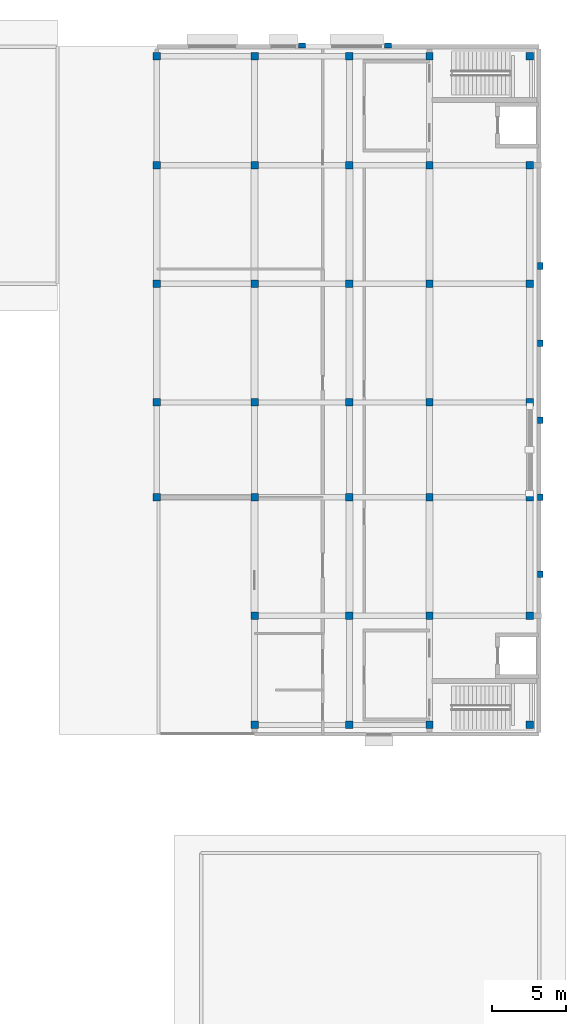
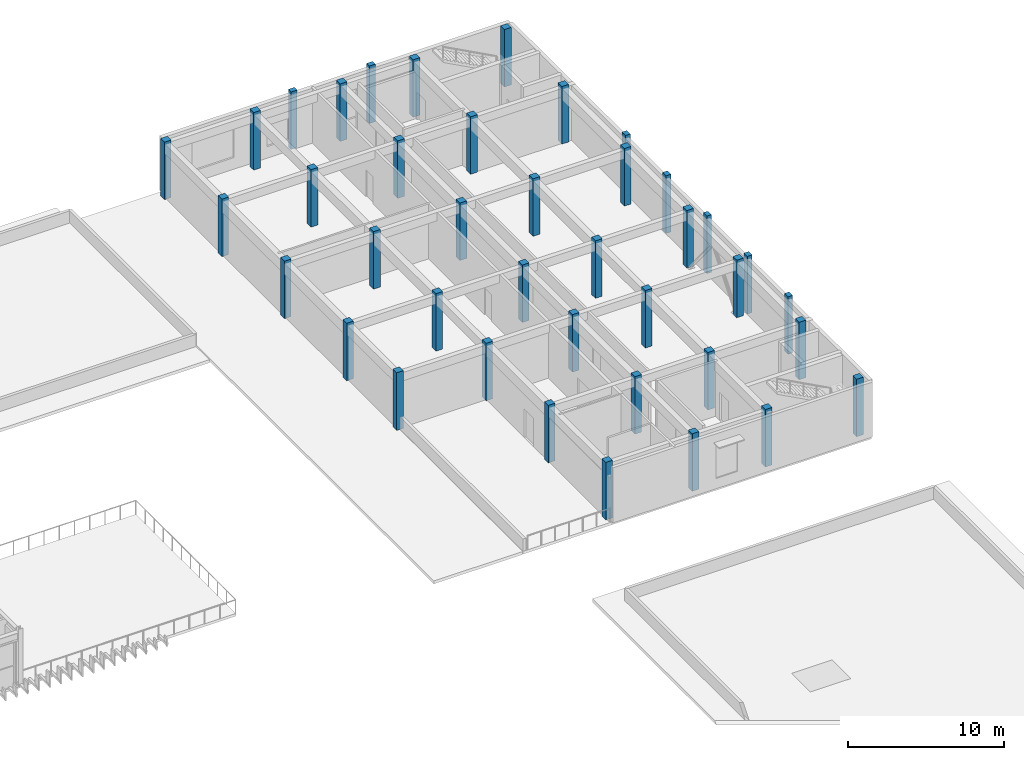
# One storey, part 3 of 45: 40 columns.
"""IFC4 building model written with IfcOpenShell, lengths in metres."""

from ifc_helpers import new_model, si_unit, direction, frame, origin, origin_2d, place, context, subcontext, project, spatial, rectangle, extrude, material, material_profile, profile_set, type_object, element, save


model = new_model("IFC4")

# Units and contexts
model_context = context("Model", 3, precision=1e-05, world=origin(), true_north=direction((0.0, 1.0)))
body_context = subcontext(model_context, "Body", "Model", "MODEL_VIEW")
ifc_project = project(units=[si_unit("LENGTHUNIT", "METRE"), si_unit("AREAUNIT", "SQUARE_METRE"), si_unit("VOLUMEUNIT", "CUBIC_METRE"), si_unit("PLANEANGLEUNIT", "RADIAN"), si_unit("MASSUNIT", "GRAM", prefix="KILO")], contexts=[model_context])

# Site, building, storey
site_placement = place(None, origin())
site = spatial("IfcSite", under=ifc_project, at=site_placement, CompositionType="ELEMENT")
building_placement = place(site_placement, origin())
building = spatial("IfcBuilding", under=site, at=building_placement, Name="Cinchona Park Media Centre", CompositionType="ELEMENT")
storey_placement = place(building_placement, frame((0.0, 0.0, 20.39990234375)))
storey = spatial("IfcBuildingStorey", under=building, at=storey_placement, Name="L04", CompositionType="ELEMENT", Elevation=20.39990234375)

# Columns
ifc_material_1 = material(Name="Concrete C40/50", Category="concrete")
ifc_material_profile_1 = material_profile(ifc_material_1, rectangle(XDim=0.5, YDim=0.5, at=origin_2d()), Name="RC 500X500")
ifc_profile_set_1 = profile_set([ifc_material_profile_1], Name="Concrete C40/50")
column_type_1 = type_object("IfcColumnType", Name="COL-C04-RC500X500", PredefinedType="COLUMN", material=ifc_profile_set_1)
for number, where, z_axis, x_axis, name in (
    (1, (146.199951171875, 87.60009765625, 0.0), (0.0, 0.0, 1.0), (1.0, 0.0, 0.0), "Column C04 L04"),
    (2, (146.199951171875, 94.0, 0.0), (0.0, 0.0, 1.0), (1.0, 0.0, 0.0), "Column C04 L04"),
    (3, (146.199951171875, 102.0, 0.0), (0.0, 0.0, 1.0), (1.0, 0.0, 0.0), "Column C04 L04"),
    (4, (146.199951171875, 110.0, 0.0), (0.0, 0.0, 1.0), (1.0, 0.0, 0.0), "Column C04 L04"),
    (5, (146.199951171875, 117.360107421875, 0.0), (0.0, 0.0, 1.0), (1.0, 0.0, 0.0), "Column C04 L04"),
    (6, (152.800048828125, 72.239990234375, 0.0), (0.0, 0.0, 1.0), (1.0, 0.0, 0.0), "Column C04 L04"),
    (7, (152.800048828125, 79.60009765625, 0.0), (0.0, 0.0, 1.0), (1.0, 0.0, 0.0), "Column C04 L04"),
    (8, (152.800048828125, 87.60009765625, 0.0), (0.0, 0.0, 1.0), (1.0, 0.0, 0.0), "Column C04 L04"),
    (9, (152.800048828125, 94.0, 0.0), (0.0, 0.0, 1.0), (1.0, 0.0, 0.0), "Column C04 L04"),
    (10, (152.800048828125, 102.0, 0.0), (0.0, 0.0, 1.0), (1.0, 0.0, 0.0), "Column C04 L04"),
    (11, (152.800048828125, 110.0, 0.0), (0.0, 0.0, 1.0), (1.0, 0.0, 0.0), "Column C04 L04"),
    (12, (152.800048828125, 117.360107421875, 0.0), (0.0, 0.0, 1.0), (1.0, 0.0, 0.0), "Column C04 L04"),
    (13, (159.199951171875, 72.239990234375, 0.0), (0.0, 0.0, 1.0), (1.0, 0.0, 0.0), "Column C04 L04"),
    (14, (159.199951171875, 79.60009765625, 0.0), (0.0, 0.0, 1.0), (1.0, 0.0, 0.0), "Column C04 L04"),
    (15, (159.199951171875, 87.60009765625, 0.0), (0.0, 0.0, 1.0), (1.0, 0.0, 0.0), "Column C04 L04"),
    (16, (159.199951171875, 94.0, 0.0), (0.0, 0.0, 1.0), (1.0, 0.0, 0.0), "Column C04 L04"),
    (17, (159.199951171875, 102.0, 0.0), (0.0, 0.0, 1.0), (1.0, 0.0, 0.0), "Column C04 L04"),
    (18, (159.199951171875, 110.0, 0.0), (0.0, 0.0, 1.0), (1.0, 0.0, 0.0), "Column C04 L04"),
    (19, (159.199951171875, 117.360107421875, 0.0), (0.0, 0.0, 1.0), (1.0, 0.0, 0.0), "Column C04 L04"),
    (20, (164.60009765625, 72.239990234375, 0.0), (0.0, 0.0, 1.0), (1.0, 0.0, 0.0), "Column C04 L04"),
    (21, (164.60009765625, 79.60009765625, 0.0), (0.0, 0.0, 1.0), (1.0, 0.0, 0.0), "Column C04 L04"),
    (22, (164.60009765625, 87.60009765625, 0.0), (0.0, 0.0, 1.0), (1.0, 0.0, 0.0), "Column C04 L04"),
    (23, (164.60009765625, 94.0, 0.0), (0.0, 0.0, 1.0), (1.0, 0.0, 0.0), "Column C04 L04"),
    (24, (164.60009765625, 102.0, 0.0), (0.0, 0.0, 1.0), (1.0, 0.0, 0.0), "Column C04 L04"),
    (25, (164.60009765625, 110.0, 0.0), (0.0, 0.0, 1.0), (1.0, 0.0, 0.0), "Column C04 L04"),
    (26, (164.60009765625, 117.360107421875, 0.0), (0.0, 0.0, 1.0), (1.0, 0.0, 0.0), "Column C04 L04"),
    (27, (171.360107421875, 72.239990234375, 0.0), (0.0, 0.0, 1.0), (1.0, 0.0, 0.0), "Column C04 L04"),
    (28, (171.360107421875, 79.60009765625, 0.0), (0.0, 0.0, 1.0), (1.0, 0.0, 0.0), "Column C04 L04"),
    (29, (171.360107421875, 87.60009765625, 0.0), (0.0, 0.0, 1.0), (1.0, 0.0, 0.0), "Column C04 L04"),
    (30, (171.360107421875, 94.0, 0.0), (0.0, 0.0, 1.0), (1.0, 0.0, 0.0), "Column C04 L04"),
    (31, (171.360107421875, 102.0, 0.0), (0.0, 0.0, 1.0), (1.0, 0.0, 0.0), "Column C04 L04"),
    (32, (171.360107421875, 110.0, 0.0), (0.0, 0.0, 1.0), (1.0, 0.0, 0.0), "Column C04 L04"),
    (33, (171.360107421875, 117.360107421875, 0.0), (0.0, 0.0, 1.0), (1.0, 0.0, 0.0), "Column C04 L04"),
):
    element("IfcColumn", number, at=place(storey_placement, frame(where, z_axis=z_axis, x_axis=x_axis)), inside=storey, type_object=column_type_1, Name=name, PredefinedType="COLUMN", context=body_context, shape_type="SweptSolid", body=[
        extrude(rectangle(XDim=0.5, YDim=0.5, at=origin_2d()), origin(), (0.0, 0.0, 1.0), 4.5),
    ])
ifc_material_2 = material(Name="Concrete C40/50", Category="concrete")
ifc_material_profile_2 = material_profile(ifc_material_2, rectangle(XDim=0.35009765625, YDim=0.449951171875, at=origin_2d()), Name="RC 350X450")
ifc_profile_set_2 = profile_set([ifc_material_profile_2], Name="Concrete C40/50")
column_type_2 = type_object("IfcColumnType", Name="COL-CP01-RC350X450", PredefinedType="PILASTER", material=ifc_profile_set_2)
for number, where, z_axis, x_axis, name in (
    (34, (172.080078125, 82.39990234375, 0.0), (0.0, 0.0, 1.0), (1.0, 0.0, 0.0), "Pilaster CP01 L04"),
    (35, (172.080078125, 87.60009765625, 0.0), (0.0, 0.0, 1.0), (1.0, 0.0, 0.0), "Pilaster CP01 L04"),
    (36, (172.080078125, 92.800048828125, 0.0), (0.0, 0.0, 1.0), (1.0, 0.0, 0.0), "Pilaster CP01 L04"),
    (37, (172.080078125, 98.0, 0.0), (0.0, 0.0, 1.0), (1.0, 0.0, 0.0), "Pilaster CP01 L04"),
    (38, (172.080078125, 103.199951171875, 0.0), (0.0, 0.0, 1.0), (1.0, 0.0, 0.0), "Pilaster CP01 L04"),
    (39, (156.0, 118.080078125, 0.0), (0.0, 0.0, 1.0), (0.0, 1.0, 0.0), "Pilaster CP01 L04"),
    (40, (161.800048828125, 118.080078125, 0.0), (0.0, 0.0, 1.0), (0.0, 1.0, 0.0), "Pilaster CP01 L04"),
):
    element("IfcColumn", number, at=place(storey_placement, frame(where, z_axis=z_axis, x_axis=x_axis)), inside=storey, type_object=column_type_2, Name=name, PredefinedType="PILASTER", context=body_context, shape_type="SweptSolid", body=[
        extrude(rectangle(XDim=0.35009765625, YDim=0.449951171875, at=origin_2d()), origin(), (0.0, 0.0, 1.0), 4.5),
    ])

save(model, "model.ifc")
